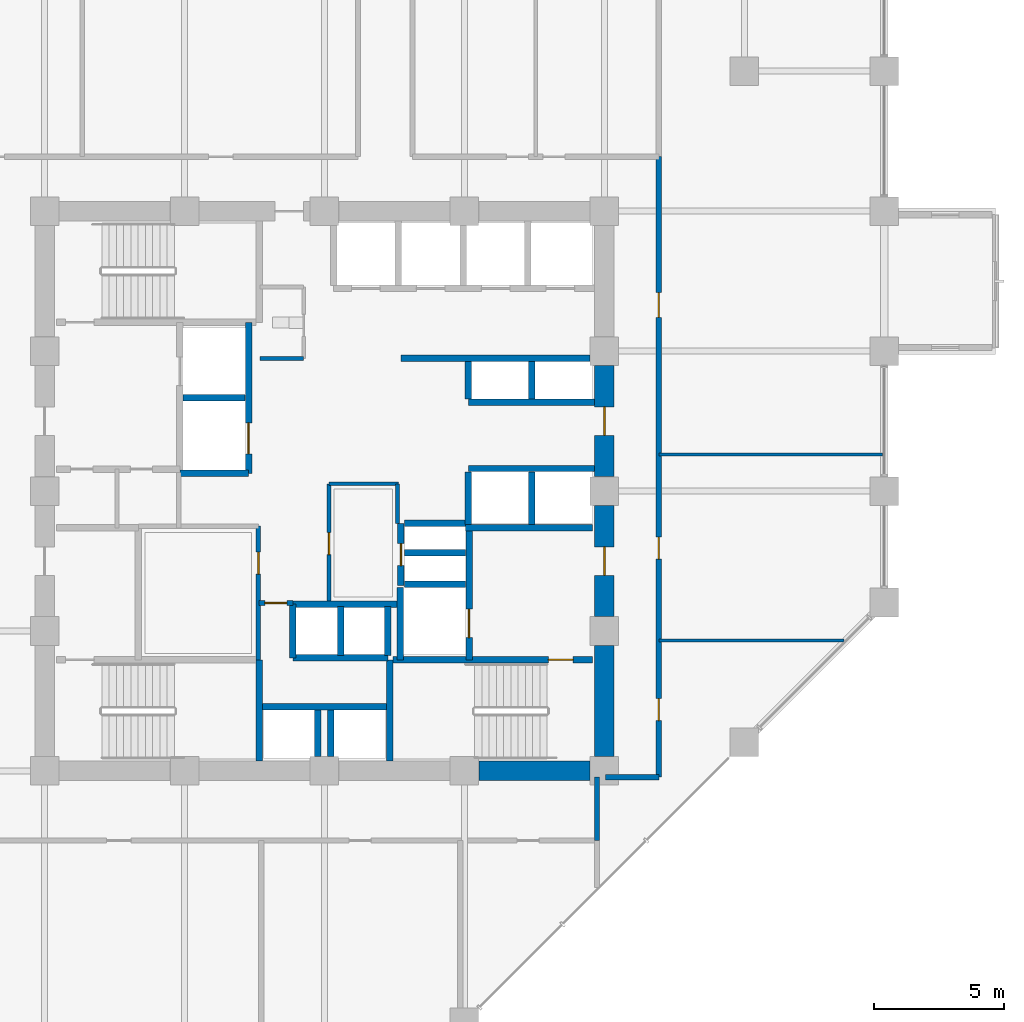
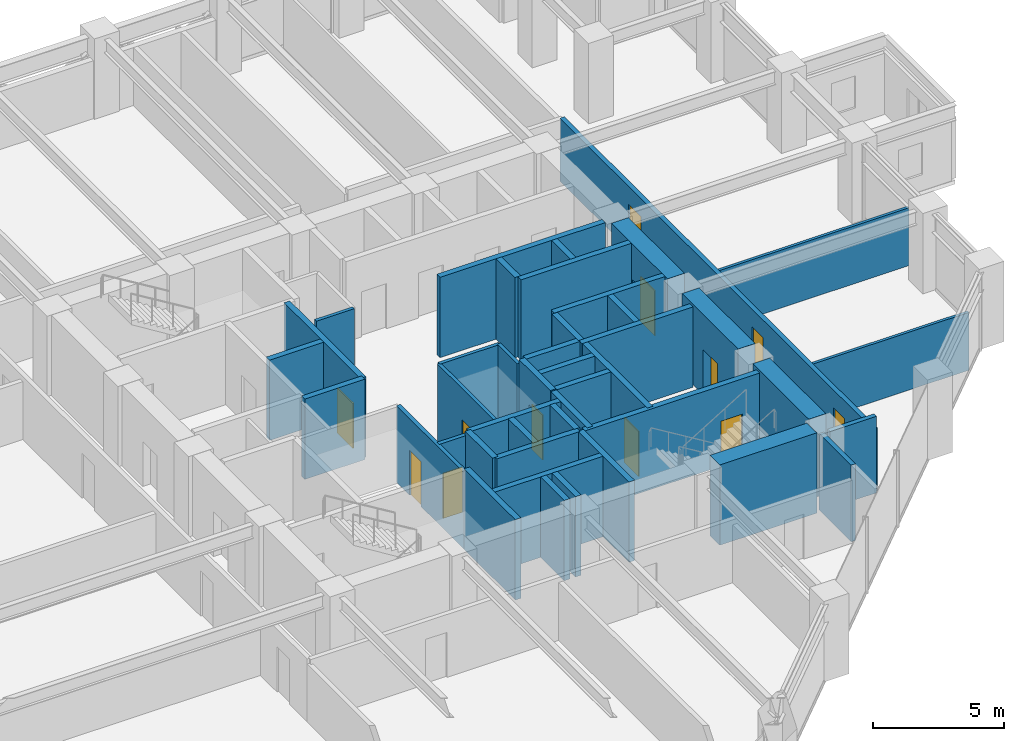
# One storey, part 23 of 29: 43 walls, 12 doors, 12 openings.
"""IFC4 building model written with IfcOpenShell, lengths in metres."""

from ifc_helpers import new_model, si_unit, direction, frame, frame_2d, origin, place, context, subcontext, project, spatial, rectangle, extrude, material, layer, layer_set, type_object, element, fill, save


model = new_model("IFC4")

# Units and contexts
model_context = context("Model", 3, precision=1e-05, world=origin(), true_north=direction((0.0, 1.0)))
body_context = subcontext(model_context, "Body", "Model", "MODEL_VIEW")
ifc_project = project(units=[si_unit("LENGTHUNIT", "METRE"), si_unit("AREAUNIT", "SQUARE_METRE"), si_unit("VOLUMEUNIT", "CUBIC_METRE"), si_unit("PLANEANGLEUNIT", "RADIAN"), si_unit("MASSUNIT", "GRAM", prefix="KILO")], contexts=[model_context])

# Site, building, storey
site_placement = place(None, origin())
site = spatial("IfcSite", under=ifc_project, at=site_placement, CompositionType="ELEMENT")
building_placement = place(site_placement, origin())
building = spatial("IfcBuilding", under=site, at=building_placement, Name="Surkhivell Harbour Commons", CompositionType="ELEMENT")
storey_placement = place(building_placement, frame((0.0, 0.0, 90.75)))
storey = spatial("IfcBuildingStorey", under=building, at=storey_placement, Name="L23", CompositionType="ELEMENT", Elevation=90.75)

# Wall
ifc_material_1 = material(Name="Concrete C60/75", Category="concrete")
ifc_layer_1 = layer(ifc_material_1, 0.75)
ifc_layer_set_1 = layer_set([ifc_layer_1], Name="Concrete C60/75")
wall_type_1 = type_object("IfcWallType", Name="WAL-CORE-750", PredefinedType="SHEAR", material=ifc_layer_set_1)
wall_1_placement = place(storey_placement, frame((10.800048828125, -10.239990234375, 0.0), z_axis=(0.0, 0.0, 1.0), x_axis=(0.0, 1.0, 0.0)))
element("IfcWall", 1, at=wall_1_placement, inside=storey, type_object=wall_type_1, Name="L23 Core Shear Wall East 1", PredefinedType="SHEAR", context=body_context, shape_type="SweptSolid", body=[
    extrude(rectangle(XDim=4.280029296875, YDim=0.75, at=frame_2d((2.14013671875, 0.0))), origin(), (0.0, 0.0, 1.0), 3.75),
])

# Wall, opening, door
wall_2_placement = place(storey_placement, frame((10.800048828125, -4.840087890625, 0.0), z_axis=(0.0, 0.0, 1.0), x_axis=(0.0, 1.0, 0.0)))
wall_2 = element("IfcWall", 2, at=wall_2_placement, inside=storey, type_object=wall_type_1, Name="L23 Core Shear Wall East 2", PredefinedType="SHEAR", context=body_context, shape_type="SweptSolid", body=[
    extrude(rectangle(XDim=4.280029296875, YDim=0.75, at=frame_2d((2.14013671875, 0.0))), origin(), (0.0, 0.0, 1.0), 3.75),
])
opening_1_placement = place(wall_2_placement, frame((1.590087890625, 0.0, 0.0)))
opening_1 = element("IfcOpeningElement", 3, at=opening_1_placement, cuts=wall_2, Name="Opening ID-1", PredefinedType="OPENING", context=body_context, shape_type="SweptSolid", body=[
    extrude(rectangle(XDim=1.10009765625, YDim=2.10009765625, at=frame_2d((0.550048828125, 1.050048828125))), frame((0.0, 0.385009765625, 0.0), z_axis=(0.0, -1.0, 0.0), x_axis=(1.0, 0.0, 0.0)), (0.0, 0.0, 1.0), 0.77001953125),
])
ifc_material_2 = material(Name="Hardwood-veneered fire-rated door leaf", Category="wood")
door_type_1 = type_object("IfcDoorType", Name="DOR-FD120-1100", OperationType="NOTDEFINED", PredefinedType="DOOR", material=ifc_material_2)
door_1_placement = place(opening_1_placement, origin())
door_1 = element("IfcDoor", 4, at=door_1_placement, inside=storey, type_object=door_type_1, Name="L23 Firefighting Lobby 2 Corridor Door", OperationType="SINGLE_SWING_RIGHT", OverallHeight=2.10009765625, OverallWidth=1.10009765625, PredefinedType="DOOR", context=body_context, shape_type="SweptSolid", body=[
    extrude(rectangle(XDim=1.10009765625, YDim=2.10009765625, at=frame_2d((0.550048828125, 1.050048828125))), frame((0.0, 0.02490234375, 0.0), z_axis=(0.0, -1.0, 0.0), x_axis=(1.0, 0.0, 0.0)), (0.0, 0.0, 1.0), 0.050048828125),
])
fill(opening_1, door_1)

wall_3_placement = place(storey_placement, frame((10.800048828125, 0.56005859375, 0.0), z_axis=(0.0, 0.0, 1.0), x_axis=(0.0, 1.0, 0.0)))
wall_3 = element("IfcWall", 5, at=wall_3_placement, inside=storey, type_object=wall_type_1, Name="L23 Core Shear Wall East 3", PredefinedType="SHEAR", context=body_context, shape_type="SweptSolid", body=[
    extrude(rectangle(XDim=4.280029296875, YDim=0.75, at=frame_2d((2.14013671875, 0.0))), origin(), (0.0, 0.0, 1.0), 3.75),
])
opening_2_placement = place(wall_3_placement, frame((1.590087890625, 0.0, 0.0)))
opening_2 = element("IfcOpeningElement", 6, at=opening_2_placement, cuts=wall_3, Name="Opening ID-2", PredefinedType="OPENING", context=body_context, shape_type="SweptSolid", body=[
    extrude(rectangle(XDim=1.10009765625, YDim=2.10009765625, at=frame_2d((0.550048828125, 1.050048828125))), frame((0.0, 0.385009765625, 0.0), z_axis=(0.0, -1.0, 0.0), x_axis=(1.0, 0.0, 0.0)), (0.0, 0.0, 1.0), 0.77001953125),
])
door_type_2 = type_object("IfcDoorType", Name="DOR-FD60-1100", OperationType="NOTDEFINED", PredefinedType="DOOR", material=ifc_material_2)
door_2_placement = place(opening_2_placement, origin())
door_2 = element("IfcDoor", 7, at=door_2_placement, inside=storey, type_object=door_type_2, Name="L23 Mid-Rise Lobby East Door", OperationType="SINGLE_SWING_LEFT", OverallHeight=2.10009765625, OverallWidth=1.10009765625, PredefinedType="DOOR", context=body_context, shape_type="SweptSolid", body=[
    extrude(rectangle(XDim=1.10009765625, YDim=2.10009765625, at=frame_2d((0.550048828125, 1.050048828125))), frame((0.0, 0.02490234375, 0.0), z_axis=(0.0, -1.0, 0.0), x_axis=(1.0, 0.0, 0.0)), (0.0, 0.0, 1.0), 0.050048828125),
])
fill(opening_2, door_2)

# Walls
wall_4_placement = place(storey_placement, frame((5.9599609375, -10.800048828125, 0.0), z_axis=(0.0, 0.0, 1.0), x_axis=(1.0, 0.0, 0.0)))
element("IfcWall", 8, at=wall_4_placement, inside=storey, type_object=wall_type_1, Name="L23 Core Shear Wall South 4", PredefinedType="SHEAR", context=body_context, shape_type="SweptSolid", body=[
    extrude(rectangle(XDim=4.280029296875, YDim=0.75, at=frame_2d((2.14013671875, 0.0))), origin(), (0.0, 0.0, 1.0), 3.75),
])
ifc_material_3 = material(Name="Moisture-resistant acoustic stud partition", Category="other")
ifc_layer_2 = layer(ifc_material_3, 0.125)
ifc_layer_set_2 = layer_set([ifc_layer_2], Name="Moisture-resistant acoustic stud partition")
wall_type_2 = type_object("IfcWallType", Name="WAL-INT-125", PredefinedType="PARTITIONING", material=ifc_layer_set_2)
wall_5_placement = place(storey_placement, frame((12.89990234375, -5.77001953125, 0.0), z_axis=(0.0, 0.0, 1.0), x_axis=(1.0, 0.0, 0.0)))
element("IfcWall", 9, at=wall_5_placement, inside=storey, type_object=wall_type_2, Name="L23 East Partition P1", PredefinedType="PARTITIONING", context=body_context, shape_type="SweptSolid", body=[
    extrude(rectangle(XDim=7.145263671875, YDim=0.125, at=frame_2d((3.57275390625, 0.0))), origin(), (0.0, 0.0, 1.0), 2.698974609375),
])
wall_6_placement = place(storey_placement, frame((12.89990234375, 1.409912109375, 0.0), z_axis=(0.0, 0.0, 1.0), x_axis=(1.0, 0.0, 0.0)))
element("IfcWall", 10, at=wall_6_placement, inside=storey, type_object=wall_type_2, Name="L23 East Partition P2", PredefinedType="PARTITIONING", context=body_context, shape_type="SweptSolid", body=[
    extrude(rectangle(XDim=8.64013671875, YDim=0.125, at=frame_2d((4.320068359375, 0.0))), origin(), (0.0, 0.0, 1.0), 2.698974609375),
])
ifc_material_4 = material(Name="Twin-stud acoustic fireboard partition", Category="other")
ifc_layer_3 = layer(ifc_material_4, 0.14990234375)
ifc_layer_set_3 = layer_set([ifc_layer_3], Name="Twin-stud acoustic fireboard partition")
wall_type_3 = type_object("IfcWallType", Name="WAL-INT-150", PredefinedType="PARTITIONING", material=ifc_layer_set_3)
wall_7_placement = place(storey_placement, frame((-2.47998046875, 5.1201171875, 0.0), z_axis=(0.0, 0.0, 1.0), x_axis=(1.0, 0.0, 0.0)))
element("IfcWall", 11, at=wall_7_placement, inside=storey, type_object=wall_type_3, Name="L23 Core Accessible WC South Wall", PredefinedType="PARTITIONING", context=body_context, shape_type="SweptSolid", body=[
    extrude(rectangle(XDim=1.679931640625, YDim=0.14990234375, at=frame_2d((0.83984375, 0.0))), origin(), (0.0, 0.0, 1.0), 3.570068359375),
])
wall_8_placement = place(storey_placement, frame((2.820068359375, -1.25, 0.0), z_axis=(0.0, 0.0, 1.0), x_axis=(0.0, 1.0, 0.0)))
element("IfcWall", 12, at=wall_8_placement, inside=storey, type_object=wall_type_3, Name="L23 Central Music East Wall", PredefinedType="PARTITIONING", context=body_context, shape_type="SweptSolid", body=[
    extrude(rectangle(XDim=1.530029296875, YDim=0.14990234375, at=frame_2d((0.76513671875, 0.0))), origin(), (0.0, 0.0, 1.0), 3.570068359375),
])
wall_9_placement = place(storey_placement, frame((0.179931640625, 0.280029296875, 0.0), z_axis=(0.0, 0.0, 1.0), x_axis=(1.0, 0.0, 0.0)))
element("IfcWall", 13, at=wall_9_placement, inside=storey, type_object=wall_type_3, Name="L23 Central Music North Wall", PredefinedType="PARTITIONING", context=body_context, shape_type="SweptSolid", body=[
    extrude(rectangle(XDim=2.670166015625, YDim=0.14990234375, at=frame_2d((1.3349609375, 0.0))), origin(), (0.0, 0.0, 1.0), 3.570068359375),
])

# Wall, opening, door
wall_10_placement = place(storey_placement, frame((0.179931640625, -4.25, 0.0), z_axis=(0.0, 0.0, 1.0), x_axis=(0.0, 1.0, 0.0)))
wall_10 = element("IfcWall", 14, at=wall_10_placement, inside=storey, type_object=wall_type_3, Name="L23 Central Music West Wall", PredefinedType="PARTITIONING", context=body_context, shape_type="SweptSolid", body=[
    extrude(rectangle(XDim=4.530029296875, YDim=0.14990234375, at=frame_2d((2.26513671875, 0.0))), origin(), (0.0, 0.0, 1.0), 3.570068359375),
])
opening_3_placement = place(wall_10_placement, frame((1.800048828125, 0.0, 0.0)))
opening_3 = element("IfcOpeningElement", 15, at=opening_3_placement, cuts=wall_10, Name="Opening ID-6", PredefinedType="OPENING", context=body_context, shape_type="SweptSolid", body=[
    extrude(rectangle(XDim=0.85009765625, YDim=2.10009765625, at=frame_2d((0.425048828125, 1.050048828125))), frame((0.0, 0.0849609375, 0.0), z_axis=(0.0, -1.0, 0.0), x_axis=(1.0, 0.0, 0.0)), (0.0, 0.0, 1.0), 0.169921875),
])
door_type_3 = type_object("IfcDoorType", Name="DOR-FD30-850", OperationType="NOTDEFINED", PredefinedType="DOOR", material=ifc_material_2)
door_3_placement = place(opening_3_placement, origin())
door_3 = element("IfcDoor", 16, at=door_3_placement, inside=storey, type_object=door_type_3, Name="L23 Central Music Door", OperationType="SINGLE_SWING_RIGHT", OverallHeight=2.10009765625, OverallWidth=0.85009765625, PredefinedType="DOOR", context=body_context, shape_type="SweptSolid", body=[
    extrude(rectangle(XDim=0.85009765625, YDim=2.10009765625, at=frame_2d((0.425048828125, 1.050048828125))), frame((0.0, 0.02490234375, 0.0), z_axis=(0.0, -1.0, 0.0), x_axis=(1.0, 0.0, 0.0)), (0.0, 0.0, 1.0), 0.050048828125),
])
fill(opening_3, door_3)

ifc_material_5 = material(Name="High-density acoustic blockwork fire partition", Category="masonry")
ifc_layer_4 = layer(ifc_material_5, 0.175048828125)
ifc_layer_set_4 = layer_set([ifc_layer_4], Name="High-density acoustic blockwork fire partition")
wall_type_4 = type_object("IfcWallType", Name="WAL-INT-175", PredefinedType="PARTITIONING", material=ifc_layer_set_4)
wall_11_placement = place(storey_placement, frame((-2.550048828125, -6.510009765625, 0.0), z_axis=(0.0, 0.0, 1.0), x_axis=(0.0, 1.0, 0.0)))
wall_11 = element("IfcWall", 17, at=wall_11_placement, inside=storey, type_object=wall_type_4, Name="L23 Core Service Bay East Wall", PredefinedType="PARTITIONING", context=body_context, shape_type="SweptSolid", body=[
    extrude(rectangle(XDim=5.159912109375, YDim=0.175048828125, at=frame_2d((2.580078125, 0.0))), origin(), (0.0, 0.0, 1.0), 3.570068359375),
])
opening_4_placement = place(wall_11_placement, frame((3.300048828125, 0.0, 0.0)))
opening_4 = element("IfcOpeningElement", 18, at=opening_4_placement, cuts=wall_11, Name="Opening ID-6", PredefinedType="OPENING", context=body_context, shape_type="SweptSolid", body=[
    extrude(rectangle(XDim=0.85009765625, YDim=2.10009765625, at=frame_2d((0.425048828125, 1.050048828125))), frame((0.0, 0.097412109375, 0.0), z_axis=(0.0, -1.0, 0.0), x_axis=(1.0, 0.0, 0.0)), (0.0, 0.0, 1.0), 0.195068359375),
])
door_4_placement = place(opening_4_placement, origin())
door_4 = element("IfcDoor", 19, at=door_4_placement, inside=storey, type_object=door_type_3, Name="L23 Core Quiet Reading Door", OperationType="SINGLE_SWING_RIGHT", OverallHeight=2.10009765625, OverallWidth=0.85009765625, PredefinedType="DOOR", context=body_context, shape_type="SweptSolid", body=[
    extrude(rectangle(XDim=0.85009765625, YDim=2.10009765625, at=frame_2d((0.425048828125, 1.050048828125))), frame((0.0, 0.02490234375, 0.0), z_axis=(0.0, -1.0, 0.0), x_axis=(1.0, 0.0, 0.0)), (0.0, 0.0, 1.0), 0.050048828125),
])
fill(opening_4, door_4)

wall_12_placement = place(storey_placement, frame((-2.52001953125, -4.320068359375, 0.0), z_axis=(0.0, 0.0, 1.0), x_axis=(1.0, 0.0, 0.0)))
wall_12 = element("IfcWall", 20, at=wall_12_placement, inside=storey, type_object=wall_type_4, Name="L23 High-Rise Lobby North Portal Wall", PredefinedType="PARTITIONING", context=body_context, shape_type="SweptSolid", body=[
    extrude(rectangle(XDim=1.300048828125, YDim=0.175048828125, at=frame_2d((0.64990234375, 0.0))), origin(), (0.0, 0.0, 1.0), 3.570068359375),
])
opening_5_placement = place(wall_12_placement, frame((0.219970703125, 0.0, 0.0)))
opening_5 = element("IfcOpeningElement", 21, at=opening_5_placement, cuts=wall_12, Name="Opening ID-6", PredefinedType="OPENING", context=body_context, shape_type="SweptSolid", body=[
    extrude(rectangle(XDim=0.85009765625, YDim=2.10009765625, at=frame_2d((0.425048828125, 1.050048828125))), frame((0.0, 0.097412109375, 0.0), z_axis=(0.0, -1.0, 0.0), x_axis=(1.0, 0.0, 0.0)), (0.0, 0.0, 1.0), 0.195068359375),
])
door_5_placement = place(opening_5_placement, origin())
door_5 = element("IfcDoor", 22, at=door_5_placement, inside=storey, type_object=door_type_3, Name="L23 High-Rise Lift Lobby North Door", OperationType="SINGLE_SWING_LEFT", OverallHeight=2.10009765625, OverallWidth=0.85009765625, PredefinedType="DOOR", context=body_context, shape_type="SweptSolid", body=[
    extrude(rectangle(XDim=0.85009765625, YDim=2.10009765625, at=frame_2d((0.425048828125, 1.050048828125))), frame((0.0, 0.02490234375, 0.0), z_axis=(0.0, -1.0, 0.0), x_axis=(1.0, 0.0, 0.0)), (0.0, 0.0, 1.0), 0.050048828125),
])
fill(opening_5, door_5)

# Wall, openings, doors
ifc_material_6 = material(Name="Autoclaved aerated concrete blockwork and fire plaster", Category="masonry")
ifc_layer_5 = layer(ifc_material_6, 0.199951171875)
ifc_layer_set_5 = layer_set([ifc_layer_5], Name="Autoclaved aerated concrete blockwork and fire plaster")
wall_type_5 = type_object("IfcWallType", Name="WAL-INT-200", PredefinedType="PARTITIONING", material=ifc_layer_set_5)
wall_13_placement = place(storey_placement, frame((12.89990234375, -11.0400390625, 0.0), z_axis=(0.0, 0.0, 1.0), x_axis=(0.0, 1.0, 0.0)))
wall_13 = element("IfcWall", 23, at=wall_13_placement, inside=storey, type_object=wall_type_5, Name="L23 Corridor East Wall", PredefinedType="PARTITIONING", context=body_context, shape_type="SweptSolid", body=[
    extrude(rectangle(XDim=23.93994140625, YDim=0.199951171875, at=frame_2d((11.969970703125, 0.0))), origin(), (0.0, 0.0, 1.0), 2.93310546875),
])
opening_6_placement = place(wall_13_placement, frame((2.18505859375, 0.0, 0.0)))
opening_6 = element("IfcOpeningElement", 24, at=opening_6_placement, cuts=wall_13, Name="Opening ID-6", PredefinedType="OPENING", context=body_context, shape_type="SweptSolid", body=[
    extrude(rectangle(XDim=0.85009765625, YDim=2.10009765625, at=frame_2d((0.425048828125, 1.050048828125))), frame((0.0, 0.10986328125, 0.0), z_axis=(0.0, -1.0, 0.0), x_axis=(1.0, 0.0, 0.0)), (0.0, 0.0, 1.0), 0.219970703125),
])
opening_7_placement = place(wall_13_placement, frame((8.409912109375, 0.0, 0.0)))
opening_7 = element("IfcOpeningElement", 25, at=opening_7_placement, cuts=wall_13, Name="Opening ID-6", PredefinedType="OPENING", context=body_context, shape_type="SweptSolid", body=[
    extrude(rectangle(XDim=0.85009765625, YDim=2.10009765625, at=frame_2d((0.425048828125, 1.050048828125))), frame((0.0, 0.10986328125, 0.0), z_axis=(0.0, -1.0, 0.0), x_axis=(1.0, 0.0, 0.0)), (0.0, 0.0, 1.0), 0.219970703125),
])
opening_8_placement = place(wall_13_placement, frame((17.7451171875, 0.0, 0.0)))
opening_8 = element("IfcOpeningElement", 26, at=opening_8_placement, cuts=wall_13, Name="Opening ID-4", PredefinedType="OPENING", context=body_context, shape_type="SweptSolid", body=[
    extrude(rectangle(XDim=0.949951171875, YDim=2.10009765625, at=frame_2d((0.47509765625, 1.050048828125))), frame((0.0, 0.10986328125, 0.0), z_axis=(0.0, -1.0, 0.0), x_axis=(1.0, 0.0, 0.0)), (0.0, 0.0, 1.0), 0.219970703125),
])
door_6_placement = place(opening_6_placement, origin())
door_6 = element("IfcDoor", 27, at=door_6_placement, inside=storey, type_object=door_type_3, Name="L23 Co-Working Study Office 1 East Door", OperationType="SINGLE_SWING_RIGHT", OverallHeight=2.10009765625, OverallWidth=0.85009765625, PredefinedType="DOOR", context=body_context, shape_type="SweptSolid", body=[
    extrude(rectangle(XDim=0.85009765625, YDim=2.10009765625, at=frame_2d((0.425048828125, 1.050048828125))), frame((0.0, 0.02490234375, 0.0), z_axis=(0.0, -1.0, 0.0), x_axis=(1.0, 0.0, 0.0)), (0.0, 0.0, 1.0), 0.050048828125),
])
fill(opening_6, door_6)
door_7_placement = place(opening_7_placement, origin())
door_7 = element("IfcDoor", 28, at=door_7_placement, inside=storey, type_object=door_type_3, Name="L23 Co-Working Study Office 2 East Door", OperationType="SINGLE_SWING_LEFT", OverallHeight=2.10009765625, OverallWidth=0.85009765625, PredefinedType="DOOR", context=body_context, shape_type="SweptSolid", body=[
    extrude(rectangle(XDim=0.85009765625, YDim=2.10009765625, at=frame_2d((0.425048828125, 1.050048828125))), frame((0.0, 0.02490234375, 0.0), z_axis=(0.0, -1.0, 0.0), x_axis=(1.0, 0.0, 0.0)), (0.0, 0.0, 1.0), 0.050048828125),
])
fill(opening_7, door_7)
door_type_4 = type_object("IfcDoorType", Name="DOR-FD60-950", OperationType="NOTDEFINED", PredefinedType="DOOR", material=ifc_material_2)
door_8_placement = place(opening_8_placement, origin())
door_8 = element("IfcDoor", 29, at=door_8_placement, inside=storey, type_object=door_type_4, Name="L23 Co-Working Study Office 3 East Door", OperationType="SINGLE_SWING_RIGHT", OverallHeight=2.10009765625, OverallWidth=0.949951171875, PredefinedType="DOOR", context=body_context, shape_type="SweptSolid", body=[
    extrude(rectangle(XDim=0.949951171875, YDim=2.10009765625, at=frame_2d((0.47509765625, 1.050048828125))), frame((0.0, 0.02490234375, 0.0), z_axis=(0.0, -1.0, 0.0), x_axis=(1.0, 0.0, 0.0)), (0.0, 0.0, 1.0), 0.050048828125),
])
fill(opening_8, door_8)

# Walls
wall_14_placement = place(storey_placement, frame((10.85009765625, -11.0400390625, 0.0), z_axis=(0.0, 0.0, 1.0), x_axis=(1.0, 0.0, 0.0)))
element("IfcWall", 30, at=wall_14_placement, inside=storey, type_object=wall_type_5, Name="L23 Corridor East South Closure Wall", PredefinedType="PARTITIONING", context=body_context, shape_type="SweptSolid", body=[
    extrude(rectangle(XDim=2.0498046875, YDim=0.199951171875, at=frame_2d((1.02490234375, 0.0))), origin(), (0.0, 0.0, 1.0), 3.570068359375),
])
wall_15_placement = place(storey_placement, frame((10.52001953125, -13.47998046875, 0.0), z_axis=(0.0, 0.0, 1.0), x_axis=(0.0, 1.0, 0.0)))
element("IfcWall", 31, at=wall_15_placement, inside=storey, type_object=wall_type_5, Name="L23 Corridor SE Closure Wall", PredefinedType="PARTITIONING", context=body_context, shape_type="SweptSolid", body=[
    extrude(rectangle(XDim=2.43994140625, YDim=0.199951171875, at=frame_2d((1.219970703125, 0.0))), origin(), (0.0, 0.0, 1.0), 3.570068359375),
])
ifc_material_7 = material(Name="Concrete C50/60", Category="concrete")
ifc_layer_6 = layer(ifc_material_7, 0.25)
ifc_layer_set_6 = layer_set([ifc_layer_6], Name="Concrete C50/60")
wall_type_6 = type_object("IfcWallType", Name="WAL-SHAFT-250", PredefinedType="SHEAR", material=ifc_layer_set_6)
wall_16_placement = place(storey_placement, frame((2.929931640625, -6.510009765625, 0.0), z_axis=(0.0, 0.0, 1.0), x_axis=(0.0, 1.0, 0.0)))
element("IfcWall", 32, at=wall_16_placement, inside=storey, type_object=wall_type_6, Name="L23 FFL2 West Shaft Wall", PredefinedType="SHEAR", context=body_context, shape_type="SweptSolid", body=[
    extrude(rectangle(XDim=2.7900390625, YDim=0.25, at=frame_2d((1.39501953125, 0.0))), origin(), (0.0, 0.0, 1.0), 3.75),
])
wall_17_placement = place(storey_placement, frame((5.43994140625, -1.419921875, 0.0), z_axis=(0.0, 0.0, 1.0), x_axis=(1.0, 0.0, 0.0)))
element("IfcWall", 33, at=wall_17_placement, inside=storey, type_object=wall_type_6, Name="L23 Firefighting Lobby 2 North Wall", PredefinedType="SHEAR", context=body_context, shape_type="SweptSolid", body=[
    extrude(rectangle(XDim=4.900146484375, YDim=0.25, at=frame_2d((2.4501953125, 0.0))), origin(), (0.0, 0.0, 1.0), 3.75),
])
wall_18_placement = place(storey_placement, frame((3.080078125, -3.60009765625, 0.0), z_axis=(0.0, 0.0, 1.0), x_axis=(1.0, 0.0, 0.0)))
element("IfcWall", 34, at=wall_18_placement, inside=storey, type_object=wall_type_6, Name="L23 FFL2 North Shaft Wall", PredefinedType="SHEAR", context=body_context, shape_type="SweptSolid", body=[
    extrude(rectangle(XDim=2.369873046875, YDim=0.25, at=frame_2d((1.18505859375, 0.0))), origin(), (0.0, 0.0, 1.0), 3.75),
])

# Wall, opening, door
wall_19_placement = place(storey_placement, frame((5.580078125, -6.510009765625, 0.0), z_axis=(0.0, 0.0, 1.0), x_axis=(0.0, 1.0, 0.0)))
wall_19 = element("IfcWall", 35, at=wall_19_placement, inside=storey, type_object=wall_type_6, Name="L23 Firefighting Lobby 2 West Shaft Wall", PredefinedType="SHEAR", context=body_context, shape_type="SweptSolid", body=[
    extrude(rectangle(XDim=5.090087890625, YDim=0.25, at=frame_2d((2.544921875, 0.0))), origin(), (0.0, 0.0, 1.0), 3.75),
])
opening_9_placement = place(wall_19_placement, frame((0.85009765625, 0.0, 0.0)))
opening_9 = element("IfcOpeningElement", 36, at=opening_9_placement, cuts=wall_19, Name="Opening LD-1", PredefinedType="OPENING", context=body_context, shape_type="SweptSolid", body=[
    extrude(rectangle(XDim=1.10009765625, YDim=2.10009765625, at=frame_2d((0.550048828125, 1.050048828125))), frame((0.0, 0.135009765625, 0.0), z_axis=(0.0, -1.0, 0.0), x_axis=(1.0, 0.0, 0.0)), (0.0, 0.0, 1.0), 0.27001953125),
])
ifc_material_8 = material(Name="Brushed stainless steel S355", Category="steel")
door_type_5 = type_object("IfcDoorType", Name="DOR-LD-1100", OperationType="SLIDING_TO_LEFT", PredefinedType="DOOR", material=ifc_material_8)
door_9_placement = place(opening_9_placement, origin())
door_9 = element("IfcDoor", 37, at=door_9_placement, inside=storey, type_object=door_type_5, Name="L23 Lift Landing Door LD-FFL2", OperationType="SLIDING_TO_RIGHT", OverallHeight=2.10009765625, OverallWidth=1.10009765625, PredefinedType="DOOR", context=body_context, shape_type="SweptSolid", body=[
    extrude(rectangle(XDim=1.10009765625, YDim=2.10009765625, at=frame_2d((0.550048828125, 1.050048828125))), frame((0.0, 0.02490234375, 0.0), z_axis=(0.0, -1.0, 0.0), x_axis=(1.0, 0.0, 0.0)), (0.0, 0.0, 1.0), 0.050048828125),
])
fill(opening_9, door_9)

# Walls
for number, where, z_axis, x_axis, name in (
    (38, (0.6201171875, -6.340087890625, 0.0), (0.0, 0.0, 1.0), (0.0, 1.0, 0.0), "L23 High-Rise Side Wall N"),
    (39, (2.449951171875, -6.340087890625, 0.0), (0.0, 0.0, 1.0), (0.0, 1.0, 0.0), "L23 High-Rise Side Wall N"),
):
    element("IfcWall", number, at=place(storey_placement, frame(where, z_axis=z_axis, x_axis=x_axis)), inside=storey, type_object=wall_type_6, Name=name, PredefinedType="SHEAR", context=body_context, shape_type="SweptSolid", body=[
        extrude(rectangle(XDim=1.880126953125, YDim=0.25, at=frame_2d((0.93994140625, 0.0))), origin(), (0.0, 0.0, 1.0), 3.75),
    ])
for number, where, z_axis, x_axis, name in (
    (40, (-0.25, -10.25, 0.0), (0.0, 0.0, 1.0), (0.0, 1.0, 0.0), "L23 High-Rise Side Wall S"),
    (41, (0.25, -10.25, 0.0), (0.0, 0.0, 1.0), (0.0, 1.0, 0.0), "L23 High-Rise Side Wall S"),
):
    element("IfcWall", number, at=place(storey_placement, frame(where, z_axis=z_axis, x_axis=x_axis)), inside=storey, type_object=wall_type_6, Name=name, PredefinedType="SHEAR", context=body_context, shape_type="SweptSolid", body=[
        extrude(rectangle(XDim=1.81005859375, YDim=0.25, at=frame_2d((0.905029296875, 0.0))), origin(), (0.0, 0.0, 1.0), 3.75),
    ])
wall_20_placement = place(storey_placement, frame((-1.219970703125, -6.43994140625, 0.0), z_axis=(0.0, 0.0, 1.0), x_axis=(0.0, 1.0, 0.0)))
element("IfcWall", 42, at=wall_20_placement, inside=storey, type_object=wall_type_6, Name="L23 High-Rise Passage East Shaft Wall", PredefinedType="SHEAR", context=body_context, shape_type="SweptSolid", body=[
    extrude(rectangle(XDim=2.079833984375, YDim=0.25, at=frame_2d((1.0400390625, 0.0))), origin(), (0.0, 0.0, 1.0), 3.75),
])
wall_21_placement = place(storey_placement, frame((-1.219970703125, -6.43994140625, 0.0), z_axis=(0.0, 0.0, 1.0), x_axis=(1.0, 0.0, 0.0)))
element("IfcWall", 43, at=wall_21_placement, inside=storey, type_object=wall_type_6, Name="L23 High-Rise North Front Shaft Wall", PredefinedType="SHEAR", context=body_context, shape_type="SweptSolid", body=[
    extrude(rectangle(XDim=3.669921875, YDim=0.25, at=frame_2d((1.8349609375, 0.0))), origin(), (0.0, 0.0, 1.0), 3.75),
])
wall_22_placement = place(storey_placement, frame((-2.47998046875, -8.320068359375, 0.0), z_axis=(0.0, 0.0, 1.0), x_axis=(1.0, 0.0, 0.0)))
element("IfcWall", 44, at=wall_22_placement, inside=storey, type_object=wall_type_6, Name="L23 High-Rise South Front Shaft Wall", PredefinedType="SHEAR", context=body_context, shape_type="SweptSolid", body=[
    extrude(rectangle(XDim=4.929931640625, YDim=0.25, at=frame_2d((2.46484375, 0.0))), origin(), (0.0, 0.0, 1.0), 3.75),
])
wall_23_placement = place(storey_placement, frame((-1.219970703125, -4.360107421875, 0.0), z_axis=(0.0, 0.0, 1.0), x_axis=(1.0, 0.0, 0.0)))
element("IfcWall", 45, at=wall_23_placement, inside=storey, type_object=wall_type_6, Name="L23 High-Rise North Back Shaft Wall", PredefinedType="SHEAR", context=body_context, shape_type="SweptSolid", body=[
    extrude(rectangle(XDim=4.030029296875, YDim=0.25, at=frame_2d((2.01513671875, 0.0))), origin(), (0.0, 0.0, 1.0), 3.75),
])
wall_24_placement = place(storey_placement, frame((2.949951171875, 5.1201171875, 0.0), z_axis=(0.0, 0.0, 1.0), x_axis=(1.0, 0.0, 0.0)))
element("IfcWall", 46, at=wall_24_placement, inside=storey, type_object=wall_type_6, Name="L23 Low-Rise Lobby South Wall", PredefinedType="SHEAR", context=body_context, shape_type="SweptSolid", body=[
    extrude(rectangle(XDim=7.300048828125, YDim=0.25, at=frame_2d((3.64990234375, 0.0))), origin(), (0.0, 0.0, 1.0), 3.75),
])
for number, where, z_axis, x_axis, name in (
    (47, (5.550048828125, 3.550048828125, 0.0), (0.0, 0.0, 1.0), (0.0, 1.0, 0.0), "L23 Mid-Rise Shaft Side Wall N"),
    (48, (8.0, 3.550048828125, 0.0), (0.0, 0.0, 1.0), (0.0, 1.0, 0.0), "L23 Mid-Rise Shaft Side Wall N"),
):
    element("IfcWall", number, at=place(storey_placement, frame(where, z_axis=z_axis, x_axis=x_axis)), inside=storey, type_object=wall_type_6, Name=name, PredefinedType="SHEAR", context=body_context, shape_type="SweptSolid", body=[
        extrude(rectangle(XDim=1.449951171875, YDim=0.25, at=frame_2d((0.72509765625, 0.0))), origin(), (0.0, 0.0, 1.0), 3.75),
    ])
for number, where, z_axis, x_axis, name in (
    (49, (5.550048828125, -1.300048828125, 0.0), (0.0, 0.0, 1.0), (0.0, 1.0, 0.0), "L23 Mid-Rise Shaft Side Wall S"),
    (50, (8.0, -1.300048828125, 0.0), (0.0, 0.0, 1.0), (0.0, 1.0, 0.0), "L23 Mid-Rise Shaft Side Wall S"),
):
    element("IfcWall", number, at=place(storey_placement, frame(where, z_axis=z_axis, x_axis=x_axis)), inside=storey, type_object=wall_type_6, Name=name, PredefinedType="SHEAR", context=body_context, shape_type="SweptSolid", body=[
        extrude(rectangle(XDim=2.0400390625, YDim=0.25, at=frame_2d((1.02001953125, 0.0))), origin(), (0.0, 0.0, 1.0), 3.75),
    ])
for number, where, z_axis, x_axis, name in (
    (51, (5.550048828125, 3.429931640625, 0.0), (0.0, 0.0, 1.0), (1.0, 0.0, 0.0), "L23 Mid-Rise North Front Shaft Wall"),
    (52, (5.550048828125, 0.8701171875, 0.0), (0.0, 0.0, 1.0), (1.0, 0.0, 0.0), "L23 Mid-Rise South Front Shaft Wall"),
):
    element("IfcWall", number, at=place(storey_placement, frame(where, z_axis=z_axis, x_axis=x_axis)), inside=storey, type_object=wall_type_6, Name=name, PredefinedType="SHEAR", context=body_context, shape_type="SweptSolid", body=[
        extrude(rectangle(XDim=4.875, YDim=0.25, at=frame_2d((2.4375, 0.0))), origin(), (0.0, 0.0, 1.0), 3.75),
    ])
for number, where, z_axis, x_axis, name in (
    (53, (3.080078125, -2.3798828125, 0.0), (0.0, 0.0, 1.0), (1.0, 0.0, 0.0), "L23 Riser Divider Wall"),
    (54, (3.080078125, -1.25, 0.0), (0.0, 0.0, 1.0), (1.0, 0.0, 0.0), "L23 Riser North Wall"),
):
    element("IfcWall", number, at=place(storey_placement, frame(where, z_axis=z_axis, x_axis=x_axis)), inside=storey, type_object=wall_type_6, Name=name, PredefinedType="SHEAR", context=body_context, shape_type="SweptSolid", body=[
        extrude(rectangle(XDim=2.369873046875, YDim=0.25, at=frame_2d((1.18505859375, 0.0))), origin(), (0.0, 0.0, 1.0), 3.75),
    ])

# Wall, opening, door
wall_25_placement = place(storey_placement, frame((2.949951171875, -3.64990234375, 0.0), z_axis=(0.0, 0.0, 1.0), x_axis=(0.0, 1.0, 0.0)))
wall_25 = element("IfcWall", 55, at=wall_25_placement, inside=storey, type_object=wall_type_6, Name="L23 Riser Shaft West Wall", PredefinedType="SHEAR", context=body_context, shape_type="SweptSolid", body=[
    extrude(rectangle(XDim=2.39990234375, YDim=0.25, at=frame_2d((1.199951171875, 0.0))), origin(), (0.0, 0.0, 1.0), 3.75),
])
opening_10_placement = place(wall_25_placement, frame((0.77490234375, 0.0, 0.0)))
opening_10 = element("IfcOpeningElement", 56, at=opening_10_placement, cuts=wall_25, Name="Opening ID-6", PredefinedType="OPENING", context=body_context, shape_type="SweptSolid", body=[
    extrude(rectangle(XDim=0.85009765625, YDim=2.10009765625, at=frame_2d((0.425048828125, 1.050048828125))), frame((0.0, 0.135009765625, 0.0), z_axis=(0.0, -1.0, 0.0), x_axis=(1.0, 0.0, 0.0)), (0.0, 0.0, 1.0), 0.27001953125),
])
door_10_placement = place(opening_10_placement, origin())
door_10 = element("IfcDoor", 57, at=door_10_placement, inside=storey, type_object=door_type_3, Name="L23 Electrical Riser Access Door", OperationType="SINGLE_SWING_LEFT", OverallHeight=2.10009765625, OverallWidth=0.85009765625, PredefinedType="DOOR", context=body_context, shape_type="SweptSolid", body=[
    extrude(rectangle(XDim=0.85009765625, YDim=2.10009765625, at=frame_2d((0.425048828125, 1.050048828125))), frame((0.0, 0.02490234375, 0.0), z_axis=(0.0, -1.0, 0.0), x_axis=(1.0, 0.0, 0.0)), (0.0, 0.0, 1.0), 0.050048828125),
])
fill(opening_10, door_10)

wall_26_placement = place(storey_placement, frame((2.639892578125, -6.510009765625, 0.0), z_axis=(0.0, 0.0, 1.0), x_axis=(1.0, 0.0, 0.0)))
wall_26 = element("IfcWall", 58, at=wall_26_placement, inside=storey, type_object=wall_type_6, Name="L23 Stair ST2 North Shear Wall", PredefinedType="SHEAR", context=body_context, shape_type="SweptSolid", body=[
    extrude(rectangle(XDim=7.7001953125, YDim=0.25, at=frame_2d((3.85009765625, 0.0))), origin(), (0.0, 0.0, 1.0), 3.75),
])
opening_11_placement = place(wall_26_placement, frame((6.0, 0.0, 0.0)))
opening_11 = element("IfcOpeningElement", 59, at=opening_11_placement, cuts=wall_26, Name="Opening ID-4", PredefinedType="OPENING", context=body_context, shape_type="SweptSolid", body=[
    extrude(rectangle(XDim=0.949951171875, YDim=2.10009765625, at=frame_2d((0.47509765625, 1.050048828125))), frame((0.0, 0.135009765625, 0.0), z_axis=(0.0, -1.0, 0.0), x_axis=(1.0, 0.0, 0.0)), (0.0, 0.0, 1.0), 0.27001953125),
])
door_11_placement = place(opening_11_placement, origin())
door_11 = element("IfcDoor", 60, at=door_11_placement, inside=storey, type_object=door_type_4, Name="L23 Stair ST2 Exit Door", OperationType="SINGLE_SWING_RIGHT", OverallHeight=2.10009765625, OverallWidth=0.949951171875, PredefinedType="DOOR", context=body_context, shape_type="SweptSolid", body=[
    extrude(rectangle(XDim=0.949951171875, YDim=2.10009765625, at=frame_2d((0.47509765625, 1.050048828125))), frame((0.0, 0.02490234375, 0.0), z_axis=(0.0, -1.0, 0.0), x_axis=(1.0, 0.0, 0.0)), (0.0, 0.0, 1.0), 0.050048828125),
])
fill(opening_11, door_11)

# Walls
for number, where, z_axis, x_axis, name in (
    (61, (2.510009765625, -10.425048828125, 0.0), (0.0, 0.0, 1.0), (0.0, 1.0, 0.0), "L23 Stair ST2 West Shear Wall"),
    (62, (-2.510009765625, -10.425048828125, 0.0), (0.0, 0.0, 1.0), (0.0, 1.0, 0.0), "L23 Stair ST3 East Shear Wall"),
):
    element("IfcWall", number, at=place(storey_placement, frame(where, z_axis=z_axis, x_axis=x_axis)), inside=storey, type_object=wall_type_6, Name=name, PredefinedType="SHEAR", context=body_context, shape_type="SweptSolid", body=[
        extrude(rectangle(XDim=3.9150390625, YDim=0.25, at=frame_2d((1.95751953125, 0.0))), origin(), (0.0, 0.0, 1.0), 3.75),
    ])

# Wall, opening, door
wall_27_placement = place(storey_placement, frame((-2.929931640625, 0.679931640625, 0.0), z_axis=(0.0, 0.0, 1.0), x_axis=(0.0, 1.0, 0.0)))
wall_27 = element("IfcWall", 63, at=wall_27_placement, inside=storey, type_object=wall_type_6, Name="L23 Service and Fire Lift East Shaft Wall", PredefinedType="SHEAR", context=body_context, shape_type="SweptSolid", body=[
    extrude(rectangle(XDim=5.830078125, YDim=0.25, at=frame_2d((2.9150390625, 0.0))), origin(), (0.0, 0.0, 1.0), 3.75),
])
opening_12_placement = place(wall_27_placement, frame((0.75, 0.0, 0.0)))
opening_12 = element("IfcOpeningElement", 64, at=opening_12_placement, cuts=wall_27, Name="Opening LD-2", PredefinedType="OPENING", context=body_context, shape_type="SweptSolid", body=[
    extrude(rectangle(XDim=1.199951171875, YDim=2.10009765625, at=frame_2d((0.60009765625, 1.050048828125))), frame((0.0, 0.135009765625, 0.0), z_axis=(0.0, -1.0, 0.0), x_axis=(1.0, 0.0, 0.0)), (0.0, 0.0, 1.0), 0.27001953125),
])
door_type_6 = type_object("IfcDoorType", Name="DOR-LD-1200", OperationType="SLIDING_TO_LEFT", PredefinedType="DOOR", material=ifc_material_8)
door_12_placement = place(opening_12_placement, origin())
door_12 = element("IfcDoor", 65, at=door_12_placement, inside=storey, type_object=door_type_6, Name="L23 Lift Landing Door LD-SVL1", OperationType="SLIDING_TO_LEFT", OverallHeight=2.10009765625, OverallWidth=1.199951171875, PredefinedType="DOOR", context=body_context, shape_type="SweptSolid", body=[
    extrude(rectangle(XDim=1.199951171875, YDim=2.10009765625, at=frame_2d((0.60009765625, 1.050048828125))), frame((0.0, 0.02490234375, 0.0), z_axis=(0.0, -1.0, 0.0), x_axis=(1.0, 0.0, 0.0)), (0.0, 0.0, 1.0), 0.050048828125),
])
fill(opening_12, door_12)

# Walls
wall_28_placement = place(storey_placement, frame((-5.449951171875, 3.60009765625, 0.0), z_axis=(0.0, 0.0, 1.0), x_axis=(1.0, 0.0, 0.0)))
element("IfcWall", 66, at=wall_28_placement, inside=storey, type_object=wall_type_6, Name="L23 FFL1/SVL1 Shaft Divider", PredefinedType="SHEAR", context=body_context, shape_type="SweptSolid", body=[
    extrude(rectangle(XDim=2.389892578125, YDim=0.25, at=frame_2d((1.19482421875, 0.0))), origin(), (0.0, 0.0, 1.0), 3.75),
])
wall_29_placement = place(storey_placement, frame((-5.580078125, 0.679931640625, 0.0), z_axis=(0.0, 0.0, 1.0), x_axis=(1.0, 0.0, 0.0)))
element("IfcWall", 67, at=wall_29_placement, inside=storey, type_object=wall_type_6, Name="L23 SVL1 South Shaft Wall", PredefinedType="SHEAR", context=body_context, shape_type="SweptSolid", body=[
    extrude(rectangle(XDim=2.650146484375, YDim=0.25, at=frame_2d((1.3251953125, 0.0))), origin(), (0.0, 0.0, 1.0), 3.75),
])

save(model, "model.ifc")
